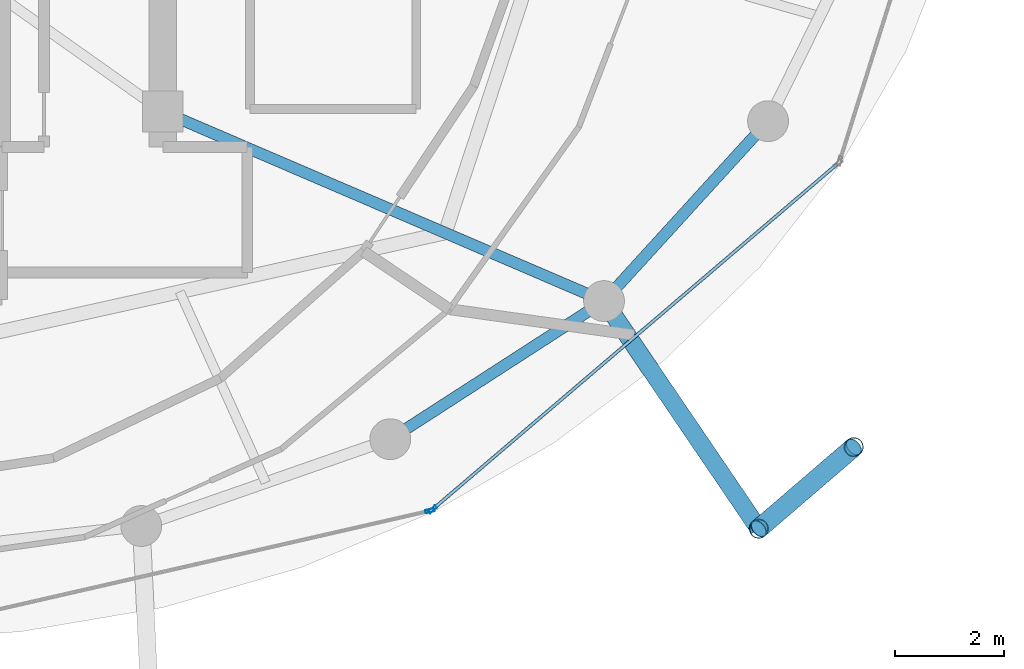
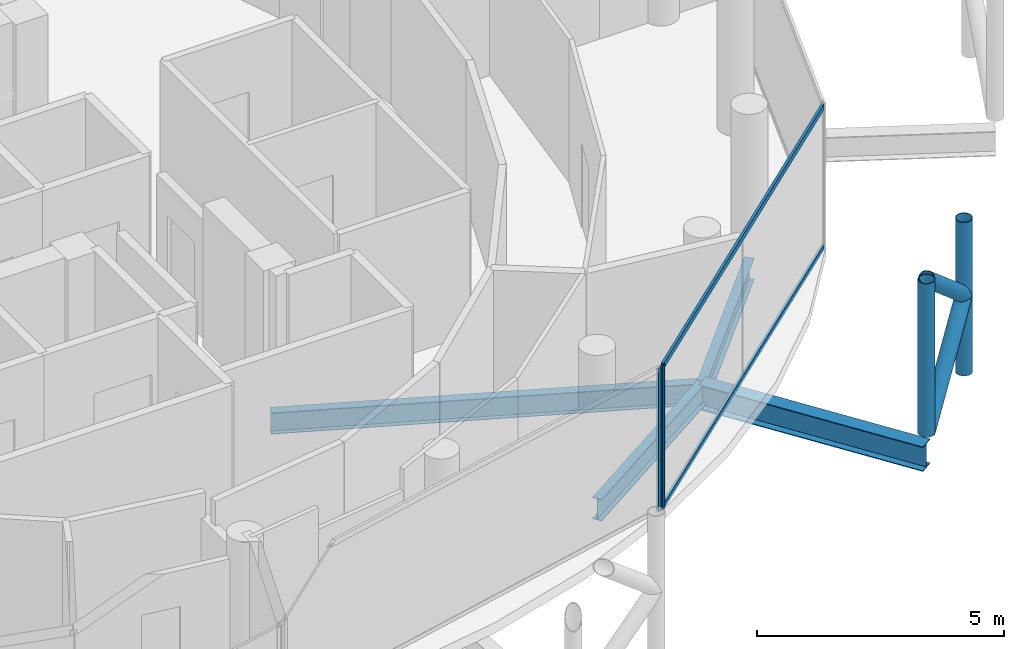
# One storey, part 9 of 24: 8 members, 4 beams, 2 elements without a shape of their own.
"""IFC4 building model written with IfcOpenShell, lengths in metres."""

from ifc_helpers import new_model, si_unit, direction, frame, origin, origin_2d, place, context, subcontext, project, spatial, hollow_rectangle, hollow_circle, i_section, extrude, material, layer, layer_set, material_profile, profile_set, type_object, element, aggregate, save


model = new_model("IFC4")

# Units and contexts
model_context = context("Model", 3, precision=1e-05, world=origin(), true_north=direction((0.0, 1.0)))
body_context = subcontext(model_context, "Body", "Model", "MODEL_VIEW")
ifc_project = project(units=[si_unit("LENGTHUNIT", "METRE"), si_unit("AREAUNIT", "SQUARE_METRE"), si_unit("VOLUMEUNIT", "CUBIC_METRE"), si_unit("PLANEANGLEUNIT", "RADIAN"), si_unit("MASSUNIT", "GRAM", prefix="KILO")], contexts=[model_context])

# Site, building, storey
site_placement = place(None, origin())
site = spatial("IfcSite", under=ifc_project, at=site_placement, CompositionType="ELEMENT")
building_placement = place(site_placement, origin())
building = spatial("IfcBuilding", under=site, at=building_placement, Name="Nuhasar Tower", CompositionType="ELEMENT")
storey_placement = place(building_placement, frame((0.0, 0.0, 270.800048828125)))
storey = spatial("IfcBuildingStorey", under=building, at=storey_placement, Name="L67", CompositionType="ELEMENT", Elevation=270.800048828125)

# Beams
ifc_material_1 = material(Name="Steel S355", Category="steel")
ifc_material_profile_1 = material_profile(ifc_material_1, i_section(OverallWidth=0.208984375, OverallDepth=0.528076171875, WebThickness=0.009521484375, FlangeThickness=0.01318359375, at=origin_2d()), Name="W21X55")
ifc_profile_set_1 = profile_set([ifc_material_profile_1], Name="Steel S355")
beam_type_1 = type_object("IfcBeamType", Name="BM-RAD-W21X55", PredefinedType="BEAM", material=ifc_profile_set_1)
beam_1_placement = place(storey_placement, frame((44.300048828125, 19.0, -0.524169921875), z_axis=(0.91887119061, -0.394557644797, 0.0), x_axis=(0.394557644797, 0.91887119061, 0.0)))
element("IfcBeam", 1, at=beam_1_placement, inside=storey, type_object=beam_type_1, Name="L67 Radial Floor Girder 03", PredefinedType="BEAM", context=body_context, shape_type="SweptSolid", body=[
    extrude(i_section(OverallWidth=0.208984375, OverallDepth=0.528076171875, WebThickness=0.009521484375, FlangeThickness=0.01318359375, at=origin_2d()), origin(), (0.0, 0.0, 1.0), 8.81494140625),
])
ifc_material_profile_2 = material_profile(ifc_material_1, i_section(OverallWidth=0.2099609375, OverallDepth=0.537109375, WebThickness=0.010986328125, FlangeThickness=0.017333984375, at=origin_2d()), Name="W21X68")
ifc_profile_set_2 = profile_set([ifc_material_profile_2], Name="Steel S355")
beam_type_2 = type_object("IfcBeamType", Name="BM-RING-W21X68", PredefinedType="SPANDREL", material=ifc_profile_set_2)
beam_2_placement = place(storey_placement, frame((48.47509765625, 12.987060546875, -0.528076171875), z_axis=(0.840025485934, 0.542546940809, 0.0), x_axis=(-0.542546940809, 0.840025485934, 0.0)))
element("IfcBeam", 2, at=beam_2_placement, inside=storey, type_object=beam_type_2, Name="L67 Perimeter Ring Spandrel 21", PredefinedType="SPANDREL", context=body_context, shape_type="SweptSolid", body=[
    extrude(i_section(OverallWidth=0.2099609375, OverallDepth=0.537109375, WebThickness=0.010986328125, FlangeThickness=0.017333984375, at=origin_2d()), origin(), (0.0, 0.0, 1.0), 4.67236328125),
])
beam_3_placement = place(storey_placement, frame((52.39990234375, 15.52197265625, -0.528076171875), z_axis=(0.673686302939, 0.739017432293, 0.0), x_axis=(-0.739017432293, 0.673686302939, 0.0)))
element("IfcBeam", 3, at=beam_3_placement, inside=storey, type_object=beam_type_2, Name="L67 Perimeter Ring Spandrel 22", PredefinedType="SPANDREL", context=body_context, shape_type="SweptSolid", body=[
    extrude(i_section(OverallWidth=0.2099609375, OverallDepth=0.537109375, WebThickness=0.010986328125, FlangeThickness=0.017333984375, at=origin_2d()), origin(), (0.0, 0.0, 1.0), 4.469482421875),
])
ifc_material_profile_3 = material_profile(ifc_material_1, i_section(OverallWidth=0.323974609375, OverallDepth=0.611083984375, WebThickness=0.0126953125, FlangeThickness=0.01904296875, at=origin_2d()), Name="W24X104")
ifc_profile_set_3 = profile_set([ifc_material_profile_3], Name="Steel S355")
beam_type_3 = type_object("IfcBeamType", Name="BM-TIE-W24X104", PredefinedType="BEAM", material=ifc_profile_set_3)
beam_4_placement = place(storey_placement, frame((52.39990234375, 15.52197265625, -0.56494140625), z_axis=(0.562093254487, -0.827073862034, 0.0), x_axis=(0.827073862034, 0.562093254487, 0.0)))
element("IfcBeam", 4, at=beam_4_placement, inside=storey, type_object=beam_type_3, Name="L67 Exoskeleton Node Tie Beam 11", PredefinedType="BEAM", context=body_context, shape_type="SweptSolid", body=[
    extrude(i_section(OverallWidth=0.323974609375, OverallDepth=0.611083984375, WebThickness=0.0126953125, FlangeThickness=0.01904296875, at=origin_2d()), origin(), (0.0, 0.0, 1.0), 5.052734375),
])

# Curtain wall, member
ifc_material_2 = material(Name="Aluminium 6063-T6", Category="aluminium")
ifc_layer = layer(ifc_material_2, 0.18994140625)
ifc_layer_set = layer_set([ifc_layer], Name="Aluminium 6063-T6")
curtain_wall_type = type_object("IfcCurtainWallType", Name="CW-Z4-PEN", PredefinedType="NOTDEFINED", material=ifc_layer_set)
curtain_wall_1_placement = place(storey_placement, origin())
curtain_wall_1 = element("IfcCurtainWall", 5, at=curtain_wall_1_placement, inside=storey, type_object=curtain_wall_type, Name="L67 Unitised Curtain Wall 10", PredefinedType="NOTDEFINED")
ifc_material_profile_4 = material_profile(ifc_material_2, hollow_rectangle(XDim=0.06005859375, YDim=0.1650390625, WallThickness=0.0048828125, at=origin_2d()), Name="CWM-5")
ifc_profile_set_4 = profile_set([ifc_material_profile_4], Name="Aluminium 6063-T6")
member_type_1 = type_object("IfcMemberType", Name="CW-MUL-S5", PredefinedType="MULLION", material=ifc_profile_set_4)
member_1_placement = place(storey_placement, frame((49.20068359375, 11.67236328125, 0.0), z_axis=(0.0, 0.0, 1.0), x_axis=(-0.222889487645, 0.97484371891, 0.0)))
member_1 = element("IfcMember", 6, at=member_1_placement, type_object=member_type_1, Name="CW-Z4 mullion 2", PredefinedType="MULLION", context=body_context, shape_type="SweptSolid", body=[
    extrude(hollow_rectangle(XDim=0.06005859375, YDim=0.1650390625, WallThickness=0.0048828125, at=origin_2d()), origin(), (0.0, 0.0, 1.0), 3.5400390625),
])
aggregate(curtain_wall_1, [member_1])

# Curtain wall, members
curtain_wall_2_placement = place(storey_placement, origin())
curtain_wall_2 = element("IfcCurtainWall", 7, at=curtain_wall_2_placement, inside=storey, type_object=curtain_wall_type, Name="L67 Unitised Curtain Wall 11", PredefinedType="NOTDEFINED")
member_2_placement = place(storey_placement, frame((49.2529296875, 11.698486328125, 0.0), z_axis=(0.0, 0.0, 1.0), x_axis=(-0.649141996205, 0.760667252327, 0.0)))
member_2 = element("IfcMember", 8, at=member_2_placement, type_object=member_type_1, Name="CW-Z4 mullion 1", PredefinedType="MULLION", context=body_context, shape_type="SweptSolid", body=[
    extrude(hollow_rectangle(XDim=0.06005859375, YDim=0.1650390625, WallThickness=0.0048828125, at=origin_2d()), origin(), (0.0, 0.0, 1.0), 3.5400390625),
])
ifc_material_profile_5 = material_profile(ifc_material_2, hollow_rectangle(XDim=0.06005859375, YDim=0.135009765625, WallThickness=0.00439453125, at=origin_2d()), Name="CWT-5")
ifc_profile_set_5 = profile_set([ifc_material_profile_5], Name="Aluminium 6063-T6")
member_type_2 = type_object("IfcMemberType", Name="CW-TRN-S5", PredefinedType="USERDEFINED", material=ifc_profile_set_5)
member_3_placement = place(storey_placement, frame((49.275634765625, 11.718017578125, 0.030029296875), z_axis=(0.760672431431, 0.649135927261, 0.0), x_axis=(-0.649135927261, 0.760672431431, 0.0)))
member_3 = element("IfcMember", 9, at=member_3_placement, type_object=member_type_2, Name="CW-Z4 transom 1.1", ObjectType="TRANSOM", PredefinedType="USERDEFINED", context=body_context, shape_type="SweptSolid", body=[
    extrude(hollow_rectangle(XDim=0.06005859375, YDim=0.135009765625, WallThickness=0.00439453125, at=origin_2d()), origin(), (0.0, 0.0, 1.0), 9.72509765625),
])
member_4_placement = place(storey_placement, frame((49.275634765625, 11.718017578125, 3.510009765625), z_axis=(0.760672431431, 0.649135927261, 0.0), x_axis=(-0.649135927261, 0.760672431431, 0.0)))
member_4 = element("IfcMember", 10, at=member_4_placement, type_object=member_type_2, Name="CW-Z4 transom 1.2", ObjectType="TRANSOM", PredefinedType="USERDEFINED", context=body_context, shape_type="SweptSolid", body=[
    extrude(hollow_rectangle(XDim=0.06005859375, YDim=0.135009765625, WallThickness=0.00439453125, at=origin_2d()), origin(), (0.0, 0.0, 1.0), 9.72509765625),
])
aggregate(curtain_wall_2, [member_2, member_3, member_4])

# Members
ifc_material_3 = material(Name="Steel S460", Category="steel")
ifc_material_profile_6 = material_profile(ifc_material_3, hollow_circle(Radius=0.177734375, WallThickness=0.015869140625, at=origin_2d()), Name="HSS355.6X15.9")
ifc_profile_set_6 = profile_set([ifc_material_profile_6], Name="Steel S460")
member_type_3 = type_object("IfcMemberType", Name="EXO-BRONZE-356", PredefinedType="BRACE", material=ifc_profile_set_6)
for number, where, z_axis, x_axis, name in (
    (11, (55.239990234375, 11.343017578125, 0.0), (0.0, 0.0, 1.0), (1.0, 0.0, 0.0), "L67 Exoskeleton Chord Column EC-11A"),
    (12, (56.98388671875, 12.842041015625, 0.0), (0.0, 0.0, 1.0), (1.0, 0.0, 0.0), "L67 Exoskeleton Chord Column EC-11B"),
):
    element("IfcMember", number, at=place(storey_placement, frame(where, z_axis=z_axis, x_axis=x_axis)), inside=storey, type_object=member_type_3, Name=name, PredefinedType="BRACE", context=body_context, shape_type="SweptSolid", body=[
        extrude(hollow_circle(Radius=0.177734375, WallThickness=0.015869140625, at=origin_2d()), origin(), (0.0, 0.0, 1.0), 3.800048828125),
    ])
member_5_placement = place(storey_placement, frame((55.239990234375, 11.343017578125, 0.0), z_axis=(0.584625223306, 0.502533791278, 0.636924749792), x_axis=(-0.65185738425, 0.758341579104, 0.0)))
element("IfcMember", 13, at=member_5_placement, inside=storey, type_object=member_type_3, Name="L67 Bronze Diagrid Brace W1-11", PredefinedType="BRACE", context=body_context, shape_type="SweptSolid", body=[
    extrude(hollow_circle(Radius=0.177734375, WallThickness=0.015869140625, at=origin_2d()), origin(), (0.0, 0.0, 1.0), 2.98291015625),
])
member_6_placement = place(storey_placement, frame((56.98388671875, 12.842041015625, 1.89990234375), z_axis=(-0.584594747408, -0.50250759472, 0.636973389203), x_axis=(0.65185738425, -0.758341579104, 0.0)))
element("IfcMember", 14, at=member_6_placement, inside=storey, type_object=member_type_3, Name="L67 Bronze Diagrid Brace W2-11", PredefinedType="BRACE", context=body_context, shape_type="SweptSolid", body=[
    extrude(hollow_circle(Radius=0.177734375, WallThickness=0.015869140625, at=origin_2d()), origin(), (0.0, 0.0, 1.0), 2.983154296875),
])

save(model, "model.ifc")
